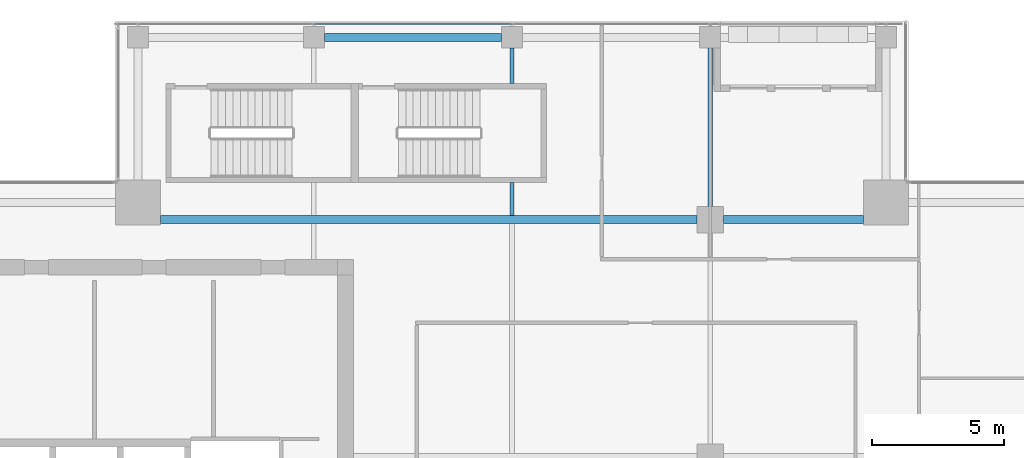
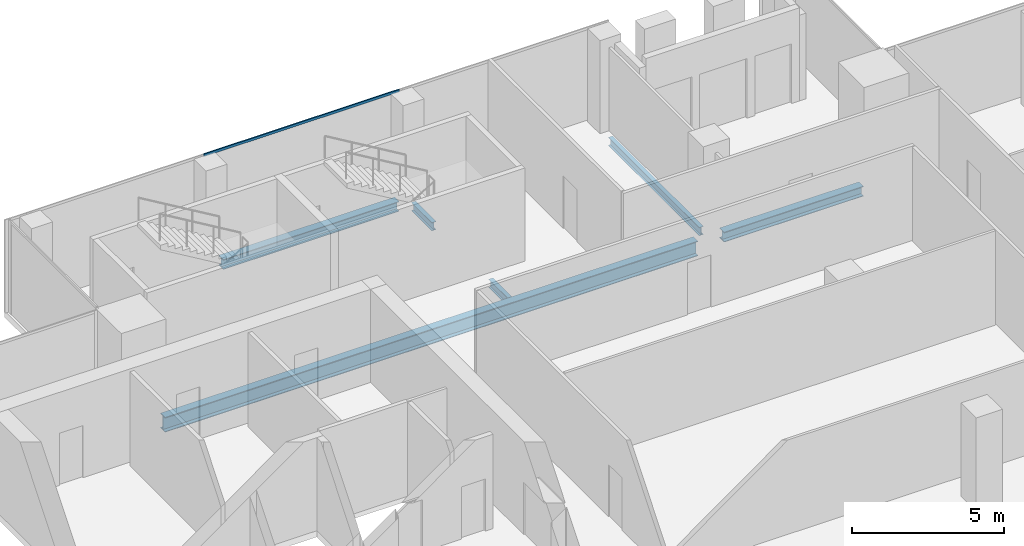
# One storey, part 15 of 29: 6 beams, 1 member, 1 element without a shape of its own.
"""IFC4 building model written with IfcOpenShell, lengths in metres."""

import ifcopenshell
import ifcopenshell.guid

model = None  # the IFC model being written
_history = None  # IfcOwnerHistory: only IFC2X3 demands one
_inside = {}  # id of a spatial element -> (the spatial element, [elements in it])
_under = {}  # id of a project, library or spatial element -> (it, [spatial elements below it])
_declared = {}  # id of a project -> (the project, [libraries it declares])
_typed = {}  # id of a type object -> (the type object, [elements of that type])
_made_of = {}  # id of a material, layer set ... -> (it, [elements and type objects made of it])


def new_model(schema):
    """Start an empty IFC model of exactly this schema.

    Asked for "IFC4X3", IfcOpenShell would pick the latest addendum, in which some entities
    have other attributes; the version numbers below select the first issue.
    IFC2X3 requires an IfcOwnerHistory on every rooted entity: one is made here for all.
    """
    global model, _history
    if schema == "IFC4X3":
        model = ifcopenshell.file(schema_version=(4, 3, 0, 0))
    else:
        model = ifcopenshell.file(schema=schema)
    _inside.clear()
    _under.clear()
    _declared.clear()
    _typed.clear()
    _made_of.clear()
    _history = None
    if model.schema == "IFC2X3":
        org = make("IfcOrganization", Name="unknown")
        user = make(
            "IfcPersonAndOrganization",
            ThePerson=make("IfcPerson", FamilyName="unknown"),
            TheOrganization=org,
        )
        app = make(
            "IfcApplication",
            ApplicationDeveloper=org,
            Version="unknown",
            ApplicationFullName="unknown",
            ApplicationIdentifier="unknown",
        )
        _history = make(
            "IfcOwnerHistory",
            OwningUser=user,
            OwningApplication=app,
            ChangeAction="ADDED",
            CreationDate=0,
        )
    return model


def make(cls, **values):
    """One entity of the class cls with the attributes given. An attribute that is None is left unset."""
    return model.create_entity(
        cls, **{name: value for name, value in values.items() if value is not None}
    )


def rooted(cls, **values):
    """An entity with a GlobalId (a new one), such as an element, a storey or a relation."""
    return make(cls, GlobalId=ifcopenshell.guid.new(), OwnerHistory=_history, **values)


def si_unit(unit_type, name, prefix=None):
    """IfcSIUnit, for example si_unit("LENGTHUNIT", "METRE", prefix="MILLI")."""
    return make("IfcSIUnit", UnitType=unit_type, Prefix=prefix, Name=name)


def assignment(units):
    """IfcUnitAssignment: the units of a project."""
    return None if units is None else make("IfcUnitAssignment", Units=units)


def point(xyz):
    """IfcCartesianPoint."""
    return None if xyz is None else make("IfcCartesianPoint", Coordinates=xyz)


def direction(xyz):
    """IfcDirection."""
    return None if xyz is None else make("IfcDirection", DirectionRatios=xyz)


def frame(location, z_axis=None, x_axis=None):
    """IfcAxis2Placement3D, a coordinate frame: its origin and axes. An axis left out is left unset."""
    return make(
        "IfcAxis2Placement3D",
        Location=point(location),
        Axis=direction(z_axis),
        RefDirection=direction(x_axis),
    )


def frame_2d(location, x_axis=None):
    """IfcAxis2Placement2D, a coordinate frame in the plane: its origin and x axis."""
    return make(
        "IfcAxis2Placement2D", Location=point(location), RefDirection=direction(x_axis)
    )


def origin():
    """The frame at (0, 0, 0) with its axes left unset."""
    return frame((0.0, 0.0, 0.0))


def origin_2d():
    """The frame at (0, 0) in the plane with its x axis left unset."""
    return frame_2d((0.0, 0.0))


def place(relative_to, where):
    """IfcLocalPlacement: puts the frame where relative to a parent placement (None: the world)."""
    return make(
        "IfcLocalPlacement", PlacementRelTo=relative_to, RelativePlacement=where
    )


def context(
    kind, dimensions, precision=None, world=None, true_north=None, identifier=None
):
    """IfcGeometricRepresentationContext, for example the 3D "Model" context."""
    return make(
        "IfcGeometricRepresentationContext",
        ContextIdentifier=identifier,
        ContextType=kind,
        CoordinateSpaceDimension=dimensions,
        Precision=precision,
        WorldCoordinateSystem=world,
        TrueNorth=true_north,
    )


def subcontext(parent, identifier, kind, view, scale=None):
    """IfcGeometricRepresentationSubContext, for example "Body" below "Model"."""
    return make(
        "IfcGeometricRepresentationSubContext",
        ContextIdentifier=identifier,
        ContextType=kind,
        ParentContext=parent,
        TargetScale=scale,
        TargetView=view,
    )


def project(units=None, contexts=None):
    """IfcProject with its units and contexts."""
    return rooted(
        "IfcProject",
        Name="project",
        RepresentationContexts=contexts,
        UnitsInContext=assignment(units),
    )


def spatial(cls, under=None, at=None, **own):
    """A site, building, storey or space (cls), placed at a placement, below another one or the project."""
    s = rooted(cls, ObjectPlacement=at, **own)
    if under is not None:
        _under.setdefault(under.id(), (under, []))[1].append(s)
    return s


def profile(cls, at=None, kind="AREA", **sizes):
    """A parametric profile (cls). Its sizes go by their IFC names, for example OverallWidth=200.0."""
    return make(cls, ProfileType=kind, Position=at, **sizes)


def hollow_rectangle(**sizes):
    """IfcRectangleHollowProfileDef."""
    return profile("IfcRectangleHollowProfileDef", **sizes)


def i_section(**sizes):
    """IfcIShapeProfileDef."""
    return profile("IfcIShapeProfileDef", **sizes)


def extrude(swept, where, along, depth):
    """IfcExtrudedAreaSolid: the profile swept, set in the frame where, extruded along a direction by depth."""
    return make(
        "IfcExtrudedAreaSolid",
        SweptArea=swept,
        Position=where,
        ExtrudedDirection=direction(along),
        Depth=depth,
    )


def shape(context_of_items, identifier, shape_type, items):
    """IfcShapeRepresentation: the items that make up one representation, for example the "Body"."""
    return make(
        "IfcShapeRepresentation",
        ContextOfItems=context_of_items,
        RepresentationIdentifier=identifier,
        RepresentationType=shape_type,
        Items=items,
    )


def source(mapping_origin, context_of_items, identifier, shape_type, items):
    """IfcRepresentationMap: a shape defined once, which mapped items show again and again."""
    return make(
        "IfcRepresentationMap",
        MappingOrigin=mapping_origin,
        MappedRepresentation=shape(context_of_items, identifier, shape_type, items),
    )


def transform(
    local_origin,
    x_axis=None,
    y_axis=None,
    z_axis=None,
    scale=None,
    scale2=None,
    scale3=None,
    uniform=True,
):
    """IfcCartesianTransformationOperator3D, or its non-uniform kind. x_axis, y_axis, z_axis: its Axis1, 2, 3."""
    if uniform:
        return make(
            "IfcCartesianTransformationOperator3D",
            Axis1=direction(x_axis),
            Axis2=direction(y_axis),
            LocalOrigin=point(local_origin),
            Scale=scale,
            Axis3=direction(z_axis),
        )
    return make(
        "IfcCartesianTransformationOperator3DnonUniform",
        Axis1=direction(x_axis),
        Axis2=direction(y_axis),
        LocalOrigin=point(local_origin),
        Scale=scale,
        Axis3=direction(z_axis),
        Scale2=scale2,
        Scale3=scale3,
    )


def mapped(mapping_source, mapping_target):
    """IfcMappedItem: shows the shape of a source again, moved by a transform."""
    return make(
        "IfcMappedItem", MappingSource=mapping_source, MappingTarget=mapping_target
    )


def material(Name=None, Category=None):
    """IfcMaterial."""
    return make("IfcMaterial", Name=Name, Category=Category)


def material_profile(
    of_material, cross_section, Name=None, Category=None, Priority=None
):
    """IfcMaterialProfile: a cross section and its material."""
    return make(
        "IfcMaterialProfile",
        Name=Name,
        Material=of_material,
        Profile=cross_section,
        Priority=Priority,
        Category=Category,
    )


def profile_set(profiles, Name=None, composite=None):
    """IfcMaterialProfileSet."""
    return make(
        "IfcMaterialProfileSet",
        Name=Name,
        MaterialProfiles=profiles,
        CompositeProfile=composite,
    )


def made_of(thing, what):
    """Note that an element or type object is made of a material, layer set ...; save() writes the relation."""
    if what is not None:
        _made_of.setdefault(what.id(), (what, []))[1].append(thing)
    return thing


def type_object(cls, material=None, **own):
    """A type object (cls), such as IfcWallType, which elements share."""
    return made_of(rooted(cls, **own), material)


def element(
    cls,
    number,
    at=None,
    inside=None,
    cuts=None,
    type_object=None,
    material=None,
    context=None,
    identifier="Body",
    shape_type=None,
    held_by="IfcProductDefinitionShape",
    body=None,
    shapes=None,
    **own,
):
    """One element of the class cls, such as IfcWall. Its Tag is "e" and its number.

    at: its placement. inside: the storey or other place that contains it. cuts: it is an
    opening in that element (IfcRelVoidsElement). A single representation is given by context,
    identifier, shape_type and body (its items); several are given by shapes. held_by: the class
    of the entity that holds the representations. save() writes the other relations.
    """
    e = rooted(cls, Tag="e%d" % number, ObjectPlacement=at, **own)
    if body is not None:
        shapes = [shape(context, identifier, shape_type, body)]
    if shapes is not None:
        e.Representation = make(held_by, Representations=shapes)
    if inside is not None:
        _inside.setdefault(inside.id(), (inside, []))[1].append(e)
    if cuts is not None:
        rooted(
            "IfcRelVoidsElement", RelatingBuildingElement=cuts, RelatedOpeningElement=e
        )
    if type_object is not None:
        _typed.setdefault(type_object.id(), (type_object, []))[1].append(e)
    return made_of(e, material)


def aggregate(whole, parts):
    """IfcRelAggregates: a whole, such as a stair, and the parts it consists of."""
    return rooted("IfcRelAggregates", RelatingObject=whole, RelatedObjects=parts)


def save(model, path):
    """Write the relations noted so far, then the file.

    IfcRelAggregates (storeys below a building ...), IfcRelContainedInSpatialStructure (elements
    in a storey), IfcRelDefinesByType, IfcRelAssociatesMaterial and IfcRelDeclares: one each for
    every whole, place, type object, material and project.
    """
    for whole, parts in _under.values():
        aggregate(whole, parts)
    for where, things in _inside.values():
        rooted(
            "IfcRelContainedInSpatialStructure",
            RelatedElements=things,
            RelatingStructure=where,
        )
    for kind, things in _typed.values():
        rooted("IfcRelDefinesByType", RelatedObjects=things, RelatingType=kind)
    for what, things in _made_of.values():
        rooted("IfcRelAssociatesMaterial", RelatedObjects=things, RelatingMaterial=what)
    for by, libraries in _declared.values():
        rooted("IfcRelDeclares", RelatingContext=by, RelatedDefinitions=libraries)
    model.write(path)


model = new_model("IFC4")

# Units and contexts
model_context = context("Model", 3, precision=1e-05, world=origin(), true_north=direction((0.0, 1.0)))
body_context = subcontext(model_context, "Body", "Model", "MODEL_VIEW")
ifc_project = project(units=[si_unit("LENGTHUNIT", "METRE"), si_unit("AREAUNIT", "SQUARE_METRE"), si_unit("VOLUMEUNIT", "CUBIC_METRE"), si_unit("PLANEANGLEUNIT", "RADIAN"), si_unit("MASSUNIT", "GRAM", prefix="KILO")], contexts=[model_context])

# Site, building, storey
site_placement = place(None, origin())
site = spatial("IfcSite", under=ifc_project, at=site_placement, CompositionType="ELEMENT")
building_placement = place(site_placement, origin())
building = spatial("IfcBuilding", under=site, at=building_placement, Name="Khomas Fold Tower", CompositionType="ELEMENT")
storey_placement = place(building_placement, frame((0.0, 0.0, 290.199951171875)))
storey = spatial("IfcBuildingStorey", under=building, at=storey_placement, Name="L65", CompositionType="ELEMENT", Elevation=290.199951171875)

# Beams
ifc_material_1 = material(Name="Steel S355", Category="steel")
ifc_material_profile_1 = material_profile(ifc_material_1, i_section(OverallWidth=0.159912109375, OverallDepth=0.330078125, WebThickness=0.007568359375, FlangeThickness=0.011474609375, at=origin_2d()), Name="IPE 330")
ifc_profile_set_1 = profile_set([ifc_material_profile_1], Name="Steel S355")
beam_type_1 = type_object("IfcBeamType", Name="IPE 330 beam JB1", PredefinedType="BEAM", material=ifc_profile_set_1)
shared_shape_1 = source(origin(), body_context, "Body", "SweptSolid", [
    extrude(i_section(OverallWidth=0.159912109375, OverallDepth=0.330078125, WebThickness=0.007568359375, FlangeThickness=0.011474609375, at=origin_2d()), origin(), (0.0, 0.0, 1.0), 1.25),
])
beam_1_placement = place(storey_placement, frame((27.0, 40.64990234375, -0.4150390625), z_axis=(0.0, 1.0, 0.0), x_axis=(-1.0, 0.0, 0.0)))
element("IfcBeam", 1, at=beam_1_placement, inside=storey, type_object=beam_type_1, Name="JB1", PredefinedType="BEAM", context=body_context, shape_type="MappedRepresentation", body=[
    mapped(shared_shape_1, transform((0.0, 0.0, 0.0))),
])
shared_shape_2 = source(origin(), body_context, "Body", "SweptSolid", [
    extrude(i_section(OverallWidth=0.159912109375, OverallDepth=0.330078125, WebThickness=0.007568359375, FlangeThickness=0.011474609375, at=origin_2d()), origin(), (0.0, 0.0, 1.0), 1.35009765625),
])
beam_2_placement = place(storey_placement, frame((27.0, 45.64990234375, -0.4150390625), z_axis=(0.0, 1.0, 0.0), x_axis=(-1.0, 0.0, 0.0)))
element("IfcBeam", 2, at=beam_2_placement, inside=storey, type_object=beam_type_1, Name="JB1", PredefinedType="BEAM", context=body_context, shape_type="MappedRepresentation", body=[
    mapped(shared_shape_2, transform((0.0, 0.0, 0.0))),
])
ifc_material_2 = material(Name="Steel S355", Category="steel")
ifc_material_profile_2 = material_profile(ifc_material_2, i_section(OverallWidth=0.300048828125, OverallDepth=0.39990234375, WebThickness=0.013427734375, FlangeThickness=0.02392578125, at=origin_2d()), Name="HE 400 B")
ifc_profile_set_2 = profile_set([ifc_material_profile_2], Name="Steel S355")
beam_type_2 = type_object("IfcBeamType", Name="HE 400 B spandrel SB5", PredefinedType="SPANDREL", material=ifc_profile_set_2)
shared_shape_3 = source(origin(), body_context, "Body", "SweptSolid", [
    extrude(i_section(OverallWidth=0.300048828125, OverallDepth=0.39990234375, WebThickness=0.013427734375, FlangeThickness=0.02392578125, at=origin_2d()), origin(), (0.0, 0.0, 1.0), 6.7001953125),
])
beam_3_placement = place(storey_placement, frame((19.89990234375, 47.39990234375, -0.449951171875), z_axis=(1.0, 0.0, 0.0), x_axis=(0.0, 1.0, 0.0)))
element("IfcBeam", 3, at=beam_3_placement, inside=storey, type_object=beam_type_2, Name="SB5", PredefinedType="SPANDREL", context=body_context, shape_type="MappedRepresentation", body=[
    mapped(shared_shape_3, transform((0.0, 0.0, 0.0))),
])
ifc_material_3 = material(Name="Steel S355", Category="steel")
ifc_material_profile_3 = material_profile(ifc_material_3, i_section(OverallWidth=0.300048828125, OverallDepth=0.60009765625, WebThickness=0.015380859375, FlangeThickness=0.030029296875, at=origin_2d()), Name="HE 600 B")
ifc_profile_set_3 = profile_set([ifc_material_profile_3], Name="Steel S355")
beam_type_3 = type_object("IfcBeamType", Name="HE 600 B beam GB5", PredefinedType="BEAM", material=ifc_profile_set_3)
shared_shape_4 = source(origin(), body_context, "Body", "SweptSolid", [
    extrude(i_section(OverallWidth=0.300048828125, OverallDepth=0.60009765625, WebThickness=0.015380859375, FlangeThickness=0.030029296875, at=origin_2d()), origin(), (0.0, 0.0, 1.0), 20.300048828125),
])
beam_4_placement = place(storey_placement, frame((13.699951171875, 40.5, -0.550048828125), z_axis=(1.0, 0.0, 0.0), x_axis=(0.0, 1.0, 0.0)))
element("IfcBeam", 4, at=beam_4_placement, inside=storey, type_object=beam_type_3, Name="GB5", PredefinedType="BEAM", context=body_context, shape_type="MappedRepresentation", body=[
    mapped(shared_shape_4, transform((0.0, 0.0, 0.0))),
])
ifc_material_4 = material(Name="Steel S355", Category="steel")
ifc_material_profile_4 = material_profile(ifc_material_4, i_section(OverallWidth=0.300048828125, OverallDepth=0.39990234375, WebThickness=0.013427734375, FlangeThickness=0.02392578125, at=origin_2d()), Name="HE 400 B")
ifc_profile_set_4 = profile_set([ifc_material_profile_4], Name="Steel S355")
beam_type_4 = type_object("IfcBeamType", Name="HE 400 B beam GB1", PredefinedType="BEAM", material=ifc_profile_set_4)
shared_shape_5 = source(origin(), body_context, "Body", "SweptSolid", [
    extrude(i_section(OverallWidth=0.300048828125, OverallDepth=0.39990234375, WebThickness=0.013427734375, FlangeThickness=0.02392578125, at=origin_2d()), origin(), (0.0, 0.0, 1.0), 5.300048828125),
])
beam_5_placement = place(storey_placement, frame((35.0, 40.5, -0.449951171875), z_axis=(1.0, 0.0, 0.0), x_axis=(0.0, 1.0, 0.0)))
element("IfcBeam", 5, at=beam_5_placement, inside=storey, type_object=beam_type_4, Name="GB1", PredefinedType="BEAM", context=body_context, shape_type="MappedRepresentation", body=[
    mapped(shared_shape_5, transform((0.0, 0.0, 0.0))),
])
shared_shape_6 = source(origin(), body_context, "Body", "SweptSolid", [
    extrude(i_section(OverallWidth=0.159912109375, OverallDepth=0.330078125, WebThickness=0.007568359375, FlangeThickness=0.011474609375, at=origin_2d()), origin(), (0.0, 0.0, 1.0), 6.0),
])
beam_6_placement = place(storey_placement, frame((34.5, 41.0, -0.4150390625), z_axis=(0.0, 1.0, 0.0), x_axis=(-1.0, 0.0, 0.0)))
element("IfcBeam", 6, at=beam_6_placement, inside=storey, type_object=beam_type_1, Name="JB1", PredefinedType="BEAM", context=body_context, shape_type="MappedRepresentation", body=[
    mapped(shared_shape_6, transform((0.0, 0.0, 0.0))),
])

# Curtain wall, member
ifc_material_5 = material(Name="Aluminium framed double glazing", Category="aluminium")
curtain_wall_type = type_object("IfcCurtainWallType", Name="SK-Unitised clear-glass wall, upper floors CW3", PredefinedType="NOTDEFINED", material=ifc_material_5)
curtain_wall_placement = place(storey_placement, origin())
curtain_wall = element("IfcCurtainWall", 7, at=curtain_wall_placement, inside=storey, type_object=curtain_wall_type, Name="CW3 run L65 06-1", PredefinedType="NOTDEFINED")
ifc_material_6 = material(Name="Aluminium", Category="aluminium")
ifc_material_profile_5 = material_profile(ifc_material_6, hollow_rectangle(XDim=0.050048828125, YDim=0.10009765625, WallThickness=0.00390625, at=origin_2d()), Name="SK-Unitised clear-glass wall, upper floors transom CW3-T")
ifc_profile_set_5 = profile_set([ifc_material_profile_5], Name="Aluminium")
member_type = type_object("IfcMemberType", Name="SK-Unitised clear-glass wall, upper floors transom CW3-T", PredefinedType="USERDEFINED", material=ifc_profile_set_5)
shared_shape_7 = source(origin(), body_context, "Body", "SweptSolid", [
    extrude(hollow_rectangle(XDim=0.050048828125, YDim=0.10009765625, WallThickness=0.00390625, at=origin_2d()), origin(), (0.0, 0.0, 1.0), 7.4501953125),
])
member_placement = place(storey_placement, frame((26.97509765625, 47.89990234375, 3.699951171875), z_axis=(-1.0, 0.0, 0.0), x_axis=(0.0, -1.0, 0.0)))
member = element("IfcMember", 8, at=member_placement, type_object=member_type, Name="CW3 transom 3", ObjectType="TRANSOM", PredefinedType="USERDEFINED", context=body_context, shape_type="MappedRepresentation", body=[
    mapped(shared_shape_7, transform((0.0, 0.0, 0.0))),
])
aggregate(curtain_wall, [member])

save(model, "model.ifc")
